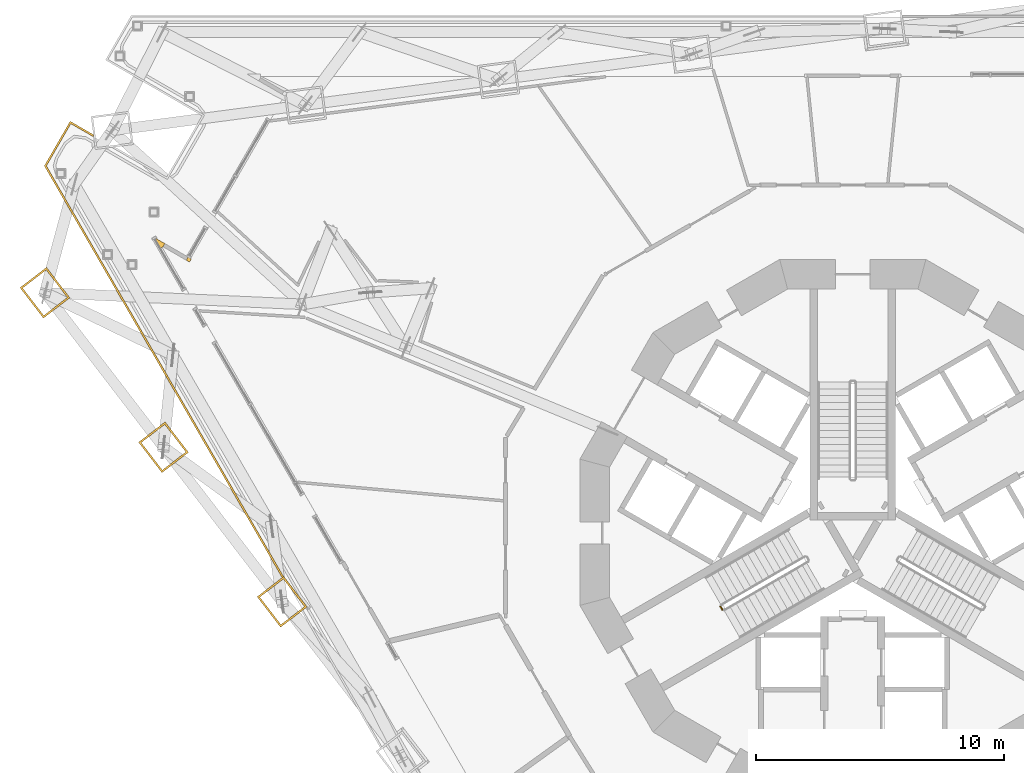
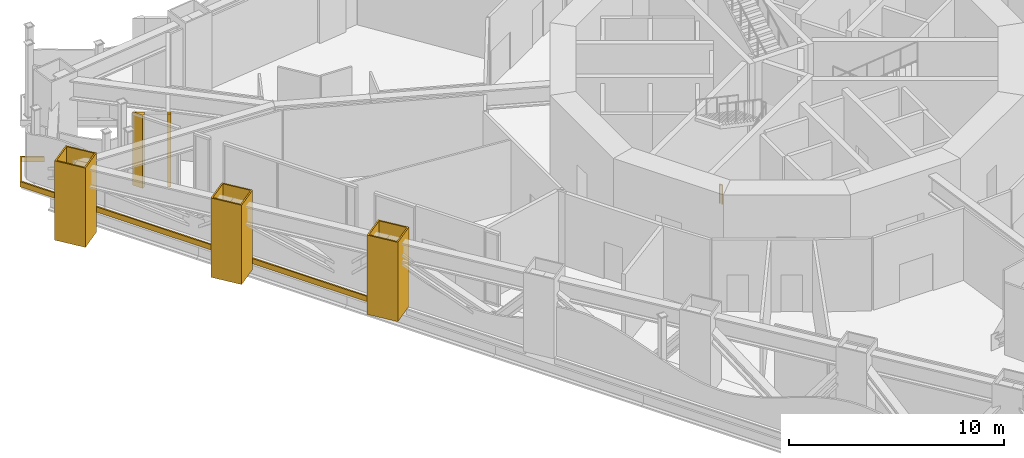
# One storey, part 23 of 28: 6 coverings, 1 railing.
"""IFC4 building model written with IfcOpenShell, lengths in metres."""

import ifcopenshell
import ifcopenshell.guid

model = None  # the IFC model being written
_history = None  # IfcOwnerHistory: only IFC2X3 demands one
_inside = {}  # id of a spatial element -> (the spatial element, [elements in it])
_under = {}  # id of a project, library or spatial element -> (it, [spatial elements below it])
_declared = {}  # id of a project -> (the project, [libraries it declares])
_typed = {}  # id of a type object -> (the type object, [elements of that type])
_made_of = {}  # id of a material, layer set ... -> (it, [elements and type objects made of it])


def new_model(schema):
    """Start an empty IFC model of exactly this schema.

    Asked for "IFC4X3", IfcOpenShell would pick the latest addendum, in which some entities
    have other attributes; the version numbers below select the first issue.
    IFC2X3 requires an IfcOwnerHistory on every rooted entity: one is made here for all.
    """
    global model, _history
    if schema == "IFC4X3":
        model = ifcopenshell.file(schema_version=(4, 3, 0, 0))
    else:
        model = ifcopenshell.file(schema=schema)
    _inside.clear()
    _under.clear()
    _declared.clear()
    _typed.clear()
    _made_of.clear()
    _history = None
    if model.schema == "IFC2X3":
        org = make("IfcOrganization", Name="unknown")
        user = make(
            "IfcPersonAndOrganization",
            ThePerson=make("IfcPerson", FamilyName="unknown"),
            TheOrganization=org,
        )
        app = make(
            "IfcApplication",
            ApplicationDeveloper=org,
            Version="unknown",
            ApplicationFullName="unknown",
            ApplicationIdentifier="unknown",
        )
        _history = make(
            "IfcOwnerHistory",
            OwningUser=user,
            OwningApplication=app,
            ChangeAction="ADDED",
            CreationDate=0,
        )
    return model


def make(cls, **values):
    """One entity of the class cls with the attributes given. An attribute that is None is left unset."""
    return model.create_entity(
        cls, **{name: value for name, value in values.items() if value is not None}
    )


def rooted(cls, **values):
    """An entity with a GlobalId (a new one), such as an element, a storey or a relation."""
    return make(cls, GlobalId=ifcopenshell.guid.new(), OwnerHistory=_history, **values)


def si_unit(unit_type, name, prefix=None):
    """IfcSIUnit, for example si_unit("LENGTHUNIT", "METRE", prefix="MILLI")."""
    return make("IfcSIUnit", UnitType=unit_type, Prefix=prefix, Name=name)


def assignment(units):
    """IfcUnitAssignment: the units of a project."""
    return None if units is None else make("IfcUnitAssignment", Units=units)


def point(xyz):
    """IfcCartesianPoint."""
    return None if xyz is None else make("IfcCartesianPoint", Coordinates=xyz)


def direction(xyz):
    """IfcDirection."""
    return None if xyz is None else make("IfcDirection", DirectionRatios=xyz)


def frame(location, z_axis=None, x_axis=None):
    """IfcAxis2Placement3D, a coordinate frame: its origin and axes. An axis left out is left unset."""
    return make(
        "IfcAxis2Placement3D",
        Location=point(location),
        Axis=direction(z_axis),
        RefDirection=direction(x_axis),
    )


def frame_2d(location, x_axis=None):
    """IfcAxis2Placement2D, a coordinate frame in the plane: its origin and x axis."""
    return make(
        "IfcAxis2Placement2D", Location=point(location), RefDirection=direction(x_axis)
    )


def origin():
    """The frame at (0, 0, 0) with its axes left unset."""
    return frame((0.0, 0.0, 0.0))


def origin_2d():
    """The frame at (0, 0) in the plane with its x axis left unset."""
    return frame_2d((0.0, 0.0))


def place(relative_to, where):
    """IfcLocalPlacement: puts the frame where relative to a parent placement (None: the world)."""
    return make(
        "IfcLocalPlacement", PlacementRelTo=relative_to, RelativePlacement=where
    )


def context(
    kind, dimensions, precision=None, world=None, true_north=None, identifier=None
):
    """IfcGeometricRepresentationContext, for example the 3D "Model" context."""
    return make(
        "IfcGeometricRepresentationContext",
        ContextIdentifier=identifier,
        ContextType=kind,
        CoordinateSpaceDimension=dimensions,
        Precision=precision,
        WorldCoordinateSystem=world,
        TrueNorth=true_north,
    )


def subcontext(parent, identifier, kind, view, scale=None):
    """IfcGeometricRepresentationSubContext, for example "Body" below "Model"."""
    return make(
        "IfcGeometricRepresentationSubContext",
        ContextIdentifier=identifier,
        ContextType=kind,
        ParentContext=parent,
        TargetScale=scale,
        TargetView=view,
    )


def project(units=None, contexts=None):
    """IfcProject with its units and contexts."""
    return rooted(
        "IfcProject",
        Name="project",
        RepresentationContexts=contexts,
        UnitsInContext=assignment(units),
    )


def spatial(cls, under=None, at=None, **own):
    """A site, building, storey or space (cls), placed at a placement, below another one or the project."""
    s = rooted(cls, ObjectPlacement=at, **own)
    if under is not None:
        _under.setdefault(under.id(), (under, []))[1].append(s)
    return s


def polyline(points):
    """IfcPolyline through the points."""
    return make("IfcPolyline", Points=[point(p) for p in points])


def profile(cls, at=None, kind="AREA", **sizes):
    """A parametric profile (cls). Its sizes go by their IFC names, for example OverallWidth=200.0."""
    return make(cls, ProfileType=kind, Position=at, **sizes)


def circle(**sizes):
    """IfcCircleProfileDef."""
    return profile("IfcCircleProfileDef", **sizes)


def outline(outer, holes=None, kind="AREA"):
    """IfcArbitraryClosedProfileDef: a profile drawn as a closed curve; with holes, ...WithVoids."""
    if holes is None:
        return make("IfcArbitraryClosedProfileDef", ProfileType=kind, OuterCurve=outer)
    return make(
        "IfcArbitraryProfileDefWithVoids",
        ProfileType=kind,
        OuterCurve=outer,
        InnerCurves=holes,
    )


def extrude(swept, where, along, depth):
    """IfcExtrudedAreaSolid: the profile swept, set in the frame where, extruded along a direction by depth."""
    return make(
        "IfcExtrudedAreaSolid",
        SweptArea=swept,
        Position=where,
        ExtrudedDirection=direction(along),
        Depth=depth,
    )


def shape(context_of_items, identifier, shape_type, items):
    """IfcShapeRepresentation: the items that make up one representation, for example the "Body"."""
    return make(
        "IfcShapeRepresentation",
        ContextOfItems=context_of_items,
        RepresentationIdentifier=identifier,
        RepresentationType=shape_type,
        Items=items,
    )


def material(Name=None, Category=None):
    """IfcMaterial."""
    return make("IfcMaterial", Name=Name, Category=Category)


def layer(
    of_material, thickness, ventilated=None, Name=None, Category=None, Priority=None
):
    """IfcMaterialLayer: one layer of a wall or slab, of a material (None: an air gap)."""
    return make(
        "IfcMaterialLayer",
        Material=of_material,
        LayerThickness=thickness,
        IsVentilated=ventilated,
        Name=Name,
        Category=Category,
        Priority=Priority,
    )


def layer_set(layers, Name=None):
    """IfcMaterialLayerSet."""
    return make("IfcMaterialLayerSet", MaterialLayers=layers, LayerSetName=Name)


def made_of(thing, what):
    """Note that an element or type object is made of a material, layer set ...; save() writes the relation."""
    if what is not None:
        _made_of.setdefault(what.id(), (what, []))[1].append(thing)
    return thing


def type_object(cls, material=None, **own):
    """A type object (cls), such as IfcWallType, which elements share."""
    return made_of(rooted(cls, **own), material)


def element(
    cls,
    number,
    at=None,
    inside=None,
    cuts=None,
    type_object=None,
    material=None,
    context=None,
    identifier="Body",
    shape_type=None,
    held_by="IfcProductDefinitionShape",
    body=None,
    shapes=None,
    **own,
):
    """One element of the class cls, such as IfcWall. Its Tag is "e" and its number.

    at: its placement. inside: the storey or other place that contains it. cuts: it is an
    opening in that element (IfcRelVoidsElement). A single representation is given by context,
    identifier, shape_type and body (its items); several are given by shapes. held_by: the class
    of the entity that holds the representations. save() writes the other relations.
    """
    e = rooted(cls, Tag="e%d" % number, ObjectPlacement=at, **own)
    if body is not None:
        shapes = [shape(context, identifier, shape_type, body)]
    if shapes is not None:
        e.Representation = make(held_by, Representations=shapes)
    if inside is not None:
        _inside.setdefault(inside.id(), (inside, []))[1].append(e)
    if cuts is not None:
        rooted(
            "IfcRelVoidsElement", RelatingBuildingElement=cuts, RelatedOpeningElement=e
        )
    if type_object is not None:
        _typed.setdefault(type_object.id(), (type_object, []))[1].append(e)
    return made_of(e, material)


def aggregate(whole, parts):
    """IfcRelAggregates: a whole, such as a stair, and the parts it consists of."""
    return rooted("IfcRelAggregates", RelatingObject=whole, RelatedObjects=parts)


def save(model, path):
    """Write the relations noted so far, then the file.

    IfcRelAggregates (storeys below a building ...), IfcRelContainedInSpatialStructure (elements
    in a storey), IfcRelDefinesByType, IfcRelAssociatesMaterial and IfcRelDeclares: one each for
    every whole, place, type object, material and project.
    """
    for whole, parts in _under.values():
        aggregate(whole, parts)
    for where, things in _inside.values():
        rooted(
            "IfcRelContainedInSpatialStructure",
            RelatedElements=things,
            RelatingStructure=where,
        )
    for kind, things in _typed.values():
        rooted("IfcRelDefinesByType", RelatedObjects=things, RelatingType=kind)
    for what, things in _made_of.values():
        rooted("IfcRelAssociatesMaterial", RelatedObjects=things, RelatingMaterial=what)
    for by, libraries in _declared.values():
        rooted("IfcRelDeclares", RelatingContext=by, RelatedDefinitions=libraries)
    model.write(path)


model = new_model("IFC4")

# Units and contexts
model_context = context("Model", 3, precision=1e-05, world=origin(), true_north=direction((0.0, 1.0)))
body_context = subcontext(model_context, "Body", "Model", "MODEL_VIEW")
ifc_project = project(units=[si_unit("LENGTHUNIT", "METRE"), si_unit("AREAUNIT", "SQUARE_METRE"), si_unit("VOLUMEUNIT", "CUBIC_METRE"), si_unit("PLANEANGLEUNIT", "RADIAN"), si_unit("MASSUNIT", "GRAM", prefix="KILO")], contexts=[model_context])

# Site, building, storey
site_placement = place(None, origin())
site = spatial("IfcSite", under=ifc_project, at=site_placement, CompositionType="ELEMENT")
building_placement = place(site_placement, origin())
building = spatial("IfcBuilding", under=site, at=building_placement, Name="Trine Commons Tower", CompositionType="ELEMENT")
storey_placement = place(building_placement, frame((0.0, 0.0, 45.89990234375)))
storey = spatial("IfcBuildingStorey", under=building, at=storey_placement, Name="L10", CompositionType="ELEMENT", Elevation=45.89990234375)

# Coverings
ifc_material_1 = material(Name="Aluminium-framed insulated wall panel", Category="aluminium")
ifc_layer_1 = layer(ifc_material_1, 0.14990234375)
ifc_layer_set_1 = layer_set([ifc_layer_1], Name="Aluminium-framed insulated wall panel")
covering_type_1 = type_object("IfcCoveringType", Name="Glazing corner post, aluminium", PredefinedType="CLADDING", material=ifc_layer_set_1)
covering_1_placement = place(storey_placement, origin())
element("IfcCovering", 1, at=covering_1_placement, inside=storey, type_object=covering_type_1, Name="Glazing corner post 1-01", PredefinedType="CLADDING", context=body_context, shape_type="SweptSolid", body=[
    extrude(outline(polyline([(51.75634765625, 74.43017578125), (51.75634765625, 74.43017578125), (52.036376953125, 73.9453125), (52.166259765625, 74.020263671875), (52.166259765625, 74.020263671875), (52.166259765625, 74.020263671875), (52.166259765625, 74.020263671875), (52.2412109375, 74.150146484375), (51.75634765625, 74.43017578125)])), origin(), (0.0, 0.0, 1.0), 4.150146484375),
])
covering_2_placement = place(storey_placement, origin())
element("IfcCovering", 2, at=covering_2_placement, inside=storey, type_object=covering_type_1, Name="Glazing corner post 1-02", PredefinedType="CLADDING", context=body_context, shape_type="SweptSolid", body=[
    extrude(outline(polyline([(53.1064453125, 73.4775390625), (53.236328125, 73.402587890625), (53.311279296875, 73.532470703125), (53.181396484375, 73.607421875), (53.1064453125, 73.4775390625)])), origin(), (0.0, 0.0, 1.0), 4.150146484375),
])
ifc_material_2 = material(Name="Limestone, honed", Category="masonry")
ifc_layer_2 = layer(ifc_material_2, 0.074951171875)
ifc_layer_set_2 = layer_set([ifc_layer_2], Name="Limestone, honed")
covering_type_2 = type_object("IfcCoveringType", Name="Limestone column cladding 75", PredefinedType="CLADDING", material=ifc_layer_set_2)
covering_3_placement = place(storey_placement, origin())
element("IfcCovering", 3, at=covering_3_placement, inside=storey, type_object=covering_type_2, Name="Limestone pier cladding 2-06", PredefinedType="CLADDING", context=body_context, shape_type="SweptSolid", body=[
    extrude(outline(polyline([(57.037353515625, 60.718994140625), (55.96630859375, 59.897216796875), (56.909912109375, 58.66748046875), (57.98095703125, 59.4892578125), (57.037353515625, 60.718994140625)]), holes=[polyline([(57.0234375, 60.61376953125), (56.071533203125, 59.88330078125), (56.923583984375, 58.772705078125), (57.875732421875, 59.503173828125), (57.0234375, 60.61376953125)])]), origin(), (0.0, 0.0, 1.0), 4.5),
])
covering_4_placement = place(storey_placement, origin())
element("IfcCovering", 4, at=covering_4_placement, inside=storey, type_object=covering_type_2, Name="Limestone pier cladding 2-07", PredefinedType="CLADDING", context=body_context, shape_type="SweptSolid", body=[
    extrude(outline(polyline([(52.252197265625, 66.955078125), (51.18115234375, 66.13330078125), (52.124755859375, 64.903564453125), (53.19580078125, 65.725341796875), (52.252197265625, 66.955078125)]), holes=[polyline([(52.23828125, 66.849853515625), (51.286376953125, 66.119384765625), (52.138427734375, 65.0087890625), (53.090576171875, 65.7392578125), (52.23828125, 66.849853515625)])]), origin(), (0.0, 0.0, 1.0), 4.5),
])
covering_5_placement = place(storey_placement, origin())
element("IfcCovering", 5, at=covering_5_placement, inside=storey, type_object=covering_type_2, Name="Limestone pier cladding 2-08", PredefinedType="CLADDING", context=body_context, shape_type="SweptSolid", body=[
    extrude(outline(polyline([(47.466796875, 73.19140625), (46.39599609375, 72.369384765625), (47.339599609375, 71.1396484375), (48.410400390625, 71.961669921875), (47.466796875, 73.19140625)]), holes=[polyline([(47.453125, 73.086181640625), (46.501220703125, 72.355712890625), (47.353271484375, 71.244873046875), (48.305419921875, 71.975341796875), (47.453125, 73.086181640625)])]), origin(), (0.0, 0.0, 1.0), 4.5),
])
ifc_layer_3 = layer(ifc_material_2, 0.074951171875)
ifc_layer_set_3 = layer_set([ifc_layer_3], Name="Limestone, honed")
covering_type_3 = type_object("IfcCoveringType", Name="Limestone spandrel panel 75", PredefinedType="CLADDING", material=ifc_layer_set_3)
covering_6_placement = place(storey_placement, frame((0.0, 0.0, -0.2998046875)))
element("IfcCovering", 6, at=covering_6_placement, inside=storey, type_object=covering_type_3, Name="Limestone spandrel panel 1-09", PredefinedType="CLADDING", context=body_context, shape_type="SweptSolid", body=[
    extrude(outline(polyline([(47.37744140625, 77.28466796875), (56.970947265625, 60.668212890625), (57.031005859375, 60.714111328125), (47.464111328125, 77.28466796875), (48.4462890625, 78.985595703125), (49.368896484375, 78.452880859375), (49.356689453125, 78.54638671875), (48.418701171875, 79.087890625), (47.37744140625, 77.28466796875)])), origin(), (0.0, 0.0, 1.0), 0.2998046875),
])

# Railing
ifc_material_3 = material(Name="Stainless steel balustrade", Category="steel")
railing_type = type_object("IfcRailingType", Name="Stair guard, steel balustrade 1100", PredefinedType="GUARDRAIL", material=ifc_material_3)
railing_placement = place(storey_placement, frame((74.73681640625, 59.374755859375, 0.0)))
element("IfcRailing", 7, at=railing_placement, inside=storey, type_object=railing_type, Name="L10 ST2A stair guard 4", PredefinedType="GUARDRAIL", context=body_context, shape_type="SweptSolid", body=[
    extrude(circle(Radius=0.02392578125, at=origin_2d()), frame((0.0, 0.0, 1.076171875), z_axis=(-0.499816412211, 0.866131372301, 0.0), x_axis=(-0.866131372301, -0.499816412211, 0.0)), (0.0, 0.0, 1.0), 0.14990234375),
    extrude(circle(Radius=0.02099609375, at=origin_2d()), origin(), (0.0, 0.0, 1.0), 1.052001953125),
    extrude(circle(Radius=0.02099609375, at=origin_2d()), frame((-0.074951171875, 0.1298828125, 0.0)), (0.0, 0.0, 1.0), 1.052001953125),
])

save(model, "model.ifc")
